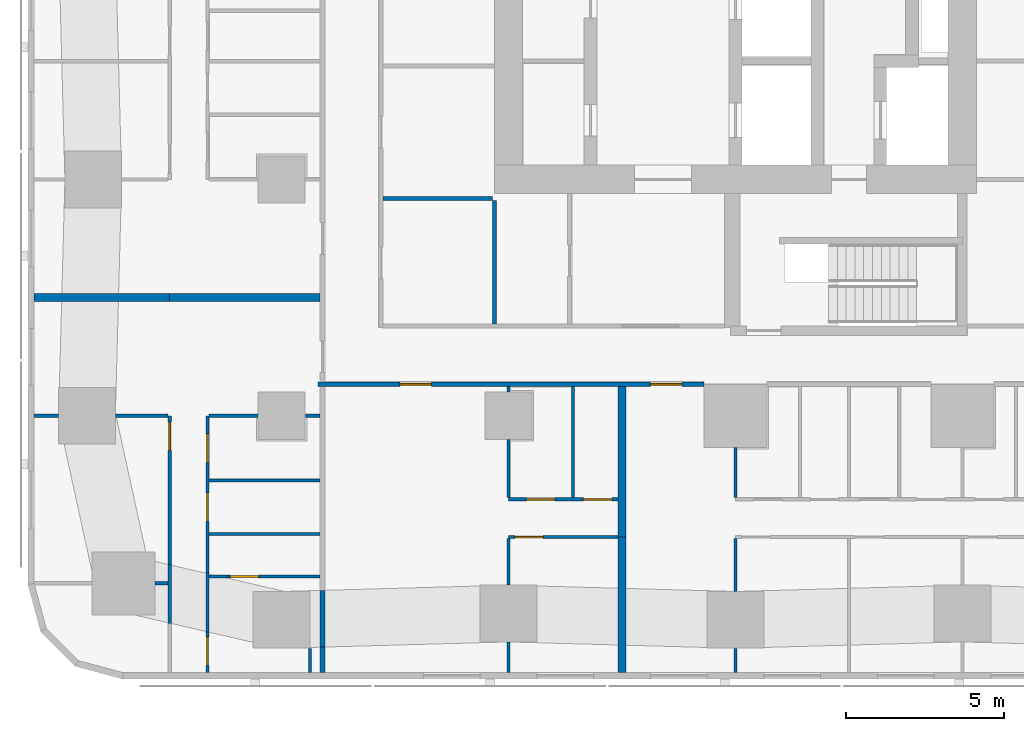
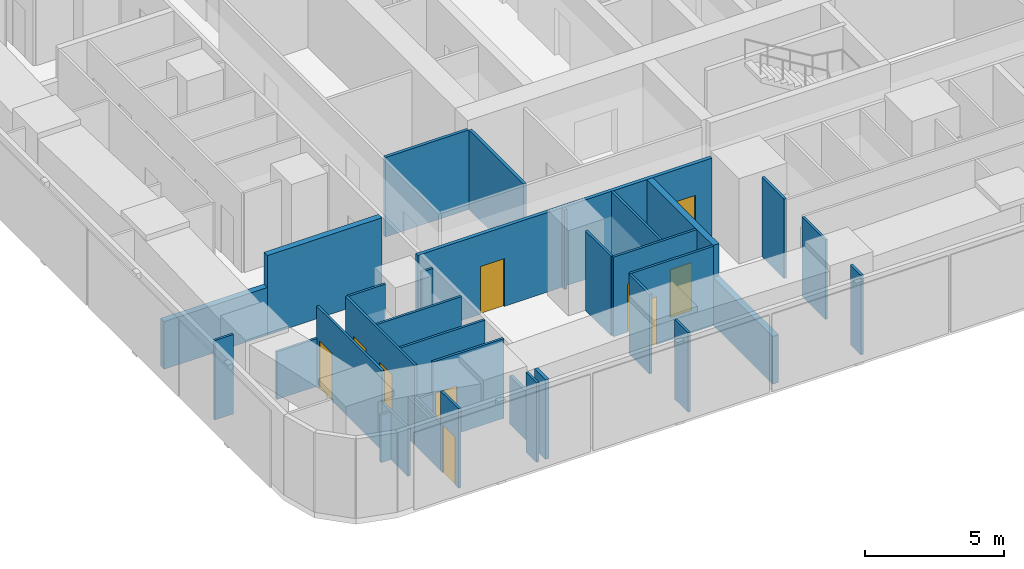
# One storey, part 2 of 14: 34 walls, 10 doors, 10 openings.
"""IFC4 building model written with IfcOpenShell, lengths in metres."""

from ifc_helpers import new_model, si_unit, direction, frame, frame_2d, origin, place, context, subcontext, project, spatial, rectangle, extrude, material, layer, layer_set, type_object, element, fill, save


model = new_model("IFC4")

# Units and contexts
model_context = context("Model", 3, precision=1e-05, world=origin(), true_north=direction((0.0, 1.0)))
body_context = subcontext(model_context, "Body", "Model", "MODEL_VIEW")
ifc_project = project(units=[si_unit("LENGTHUNIT", "METRE"), si_unit("AREAUNIT", "SQUARE_METRE"), si_unit("VOLUMEUNIT", "CUBIC_METRE"), si_unit("PLANEANGLEUNIT", "RADIAN"), si_unit("MASSUNIT", "GRAM", prefix="KILO")], contexts=[model_context])

# Site, building, storey
site_placement = place(None, origin())
site = spatial("IfcSite", under=ifc_project, at=site_placement, CompositionType="ELEMENT")
building_placement = place(site_placement, origin())
building = spatial("IfcBuilding", under=site, at=building_placement, Name="Sheger Commons Tower", CompositionType="ELEMENT")
storey_placement = place(building_placement, frame((0.0, 0.0, 135.800048828125)))
storey = spatial("IfcBuildingStorey", under=building, at=storey_placement, Name="L34", CompositionType="ELEMENT", Elevation=135.800048828125)

# Walls
ifc_material_1 = material(Name="Hollow concrete block masonry, skimmed both sides", Category="masonry")
ifc_layer_1 = layer(ifc_material_1, 0.14990234375)
ifc_layer_set_1 = layer_set([ifc_layer_1], Name="CORRIDOR WALL 150")
wall_type_1 = type_object("IfcWallType", Name="CORRIDOR WALL 150", PredefinedType="SOLIDWALL", material=ifc_layer_set_1)
wall_1_placement = place(storey_placement, frame((8.5, -0.64990234375, 0.0), z_axis=(0.0, 0.0, 1.0), x_axis=(0.0, 1.0, 0.0)))
element("IfcWall", 1, at=wall_1_placement, inside=storey, type_object=wall_type_1, Name="Corridor wall L34", PredefinedType="SOLIDWALL", context=body_context, shape_type="SweptSolid", body=[
    extrude(rectangle(XDim=0.808837890625, YDim=0.14990234375, at=frame_2d((0.404296875, 0.0))), origin(), (0.0, 0.0, 1.0), 3.5),
])
wall_2_placement = place(storey_placement, frame((8.5, 0.158935546875, 0.0), z_axis=(0.0, 0.0, 1.0), x_axis=(0.0, 1.0, 0.0)))
element("IfcWall", 2, at=wall_2_placement, inside=storey, type_object=wall_type_1, Name="Corridor wall L34", PredefinedType="SOLIDWALL", context=body_context, shape_type="SweptSolid", body=[
    extrude(rectangle(XDim=1.80517578125, YDim=0.14990234375, at=frame_2d((0.902587890625, 0.0))), origin(), (0.0, 0.0, 1.0), 2.099853515625),
])

# Wall, openings, doors
wall_3_placement = place(storey_placement, frame((20.59912109375, 8.5, 0.0), z_axis=(0.0, 0.0, 1.0), x_axis=(-1.0, 0.0, 0.0)))
wall_3 = element("IfcWall", 3, at=wall_3_placement, inside=storey, type_object=wall_type_1, Name="Corridor wall L34", PredefinedType="SOLIDWALL", context=body_context, shape_type="SweptSolid", body=[
    extrude(rectangle(XDim=12.2490234375, YDim=0.14990234375, at=frame_2d((6.12451171875, 0.0))), origin(), (0.0, 0.0, 1.0), 3.5),
])
opening_1_placement = place(wall_3_placement, frame((8.64892578125, 0.0, 0.0)))
opening_1 = element("IfcOpeningElement", 4, at=opening_1_placement, cuts=wall_3, Name="Opening D1", PredefinedType="OPENING", context=body_context, shape_type="SweptSolid", body=[
    extrude(rectangle(XDim=1.0, YDim=2.10009765625, at=frame_2d((0.5, 1.050048828125))), frame((0.0, 0.0849609375, 0.0), z_axis=(0.0, -1.0, 0.0), x_axis=(1.0, 0.0, 0.0)), (0.0, 0.0, 1.0), 0.169921875),
])
opening_2_placement = place(wall_3_placement, frame((0.698974609375, 0.0, 0.0)))
opening_2 = element("IfcOpeningElement", 5, at=opening_2_placement, cuts=wall_3, Name="Opening D1", PredefinedType="OPENING", context=body_context, shape_type="SweptSolid", body=[
    extrude(rectangle(XDim=1.0, YDim=2.10009765625, at=frame_2d((0.5, 1.050048828125))), frame((0.0, 0.0849609375, 0.0), z_axis=(0.0, -1.0, 0.0), x_axis=(1.0, 0.0, 0.0)), (0.0, 0.0, 1.0), 0.169921875),
])
ifc_material_2 = material(Name="Steel door set, fire rated", Category="steel")
door_type_1 = type_object("IfcDoorType", Name="FLAT ENTRANCE DOOR 1000x2100", OperationType="NOTDEFINED", PredefinedType="DOOR", material=ifc_material_2)
door_1_placement = place(opening_1_placement, origin())
door_1 = element("IfcDoor", 6, at=door_1_placement, inside=storey, type_object=door_type_1, Name="Flat entrance door", OperationType="SINGLE_SWING_RIGHT", OverallHeight=2.10009765625, OverallWidth=1.0, PredefinedType="DOOR", context=body_context, shape_type="SweptSolid", body=[
    extrude(rectangle(XDim=1.0, YDim=2.10009765625, at=frame_2d((0.5, 1.050048828125))), frame((0.0, 0.02490234375, 0.0), z_axis=(0.0, -1.0, 0.0), x_axis=(1.0, 0.0, 0.0)), (0.0, 0.0, 1.0), 0.050048828125),
])
fill(opening_1, door_1)
door_2_placement = place(opening_2_placement, origin())
door_2 = element("IfcDoor", 7, at=door_2_placement, inside=storey, type_object=door_type_1, Name="Flat entrance door", OperationType="SINGLE_SWING_LEFT", OverallHeight=2.10009765625, OverallWidth=1.0, PredefinedType="DOOR", context=body_context, shape_type="SweptSolid", body=[
    extrude(rectangle(XDim=1.0, YDim=2.10009765625, at=frame_2d((0.5, 1.050048828125))), frame((0.0, 0.02490234375, 0.0), z_axis=(0.0, -1.0, 0.0), x_axis=(1.0, 0.0, 0.0)), (0.0, 0.0, 1.0), 0.050048828125),
])
fill(opening_2, door_2)

# Walls
ifc_material_3 = material(Name="Dense concrete block masonry, plastered both sides (separating wall between flats)", Category="masonry")
ifc_layer_2 = layer(ifc_material_3, 0.25)
ifc_layer_set_2 = layer_set([ifc_layer_2], Name="DEMISING WALL 250")
wall_type_2 = type_object("IfcWallType", Name="DEMISING WALL 250", PredefinedType="SOLIDWALL", material=ifc_layer_set_2)
wall_4_placement = place(storey_placement, frame((-0.64990234375, 11.25, 0.0), z_axis=(0.0, 0.0, 1.0), x_axis=(1.0, 0.0, 0.0)))
element("IfcWall", 8, at=wall_4_placement, inside=storey, type_object=wall_type_2, Name="Demising wall L34", PredefinedType="SOLIDWALL", context=body_context, shape_type="SweptSolid", body=[
    extrude(rectangle(XDim=4.2998046875, YDim=0.25, at=frame_2d((2.14990234375, 0.0))), origin(), (0.0, 0.0, 1.0), 2.099853515625),
])
wall_5_placement = place(storey_placement, frame((3.64990234375, 11.25, 0.0), z_axis=(0.0, 0.0, 1.0), x_axis=(1.0, 0.0, 0.0)))
element("IfcWall", 9, at=wall_5_placement, inside=storey, type_object=wall_type_2, Name="Demising wall L34", PredefinedType="SOLIDWALL", context=body_context, shape_type="SweptSolid", body=[
    extrude(rectangle(XDim=4.775146484375, YDim=0.25, at=frame_2d((2.3876953125, 0.0))), origin(), (0.0, 0.0, 1.0), 3.5),
])
wall_6_placement = place(storey_placement, frame((18.0, -0.64990234375, 0.0), z_axis=(0.0, 0.0, 1.0), x_axis=(0.0, 1.0, 0.0)))
element("IfcWall", 10, at=wall_6_placement, inside=storey, type_object=wall_type_2, Name="Demising wall L34", PredefinedType="SOLIDWALL", context=body_context, shape_type="SweptSolid", body=[
    extrude(rectangle(XDim=4.2998046875, YDim=0.25, at=frame_2d((2.14990234375, 0.0))), origin(), (0.0, 0.0, 1.0), 2.099853515625),
])
wall_7_placement = place(storey_placement, frame((18.0, 3.64990234375, 0.0), z_axis=(0.0, 0.0, 1.0), x_axis=(0.0, 1.0, 0.0)))
element("IfcWall", 11, at=wall_7_placement, inside=storey, type_object=wall_type_2, Name="Demising wall L34", PredefinedType="SOLIDWALL", context=body_context, shape_type="SweptSolid", body=[
    extrude(rectangle(XDim=4.775146484375, YDim=0.25, at=frame_2d((2.3876953125, 0.0))), origin(), (0.0, 0.0, 1.0), 3.5),
])
ifc_material_4 = material(Name="Gypsum board on steel studs", Category="steel")
ifc_layer_3 = layer(ifc_material_4, 0.10009765625)
ifc_layer_set_3 = layer_set([ifc_layer_3], Name="PARTITION 100")
wall_type_3 = type_object("IfcWallType", Name="PARTITION 100", PredefinedType="PARTITIONING", material=ifc_layer_set_3)
wall_8_placement = place(storey_placement, frame((8.10009765625, 0.1240234375, 0.0), z_axis=(0.0, 0.0, 1.0), x_axis=(0.0, -1.0, 0.0)))
element("IfcWall", 12, at=wall_8_placement, inside=storey, type_object=wall_type_3, Name="Partition L34", PredefinedType="PARTITIONING", context=body_context, shape_type="SweptSolid", body=[
    extrude(rectangle(XDim=0.77392578125, YDim=0.10009765625, at=frame_2d((0.386962890625, 0.0))), origin(), (0.0, 0.0, 1.0), 3.5),
])
wall_9_placement = place(storey_placement, frame((3.64990234375, 0.912109375, 0.0), z_axis=(0.0, 0.0, 1.0), x_axis=(0.0, 1.0, 0.0)))
element("IfcWall", 13, at=wall_9_placement, inside=storey, type_object=wall_type_3, Name="Partition L34", PredefinedType="PARTITIONING", context=body_context, shape_type="SweptSolid", body=[
    extrude(rectangle(XDim=1.869873046875, YDim=0.10009765625, at=frame_2d((0.93505859375, 0.0))), origin(), (0.0, 0.0, 1.0), 2.099853515625),
])

# Wall, opening, door
wall_10_placement = place(storey_placement, frame((3.64990234375, 2.781982421875, 0.0), z_axis=(0.0, 0.0, 1.0), x_axis=(0.0, 1.0, 0.0)))
wall_10 = element("IfcWall", 14, at=wall_10_placement, inside=storey, type_object=wall_type_3, Name="Partition L34", PredefinedType="PARTITIONING", context=body_context, shape_type="SweptSolid", body=[
    extrude(rectangle(XDim=4.718017578125, YDim=0.10009765625, at=frame_2d((2.35888671875, 0.0))), origin(), (0.0, 0.0, 1.0), 3.5),
])
opening_3_placement = place(wall_10_placement, frame((3.617919921875, 0.0, 0.0)))
opening_3 = element("IfcOpeningElement", 15, at=opening_3_placement, cuts=wall_10, Name="Opening D2", PredefinedType="OPENING", context=body_context, shape_type="SweptSolid", body=[
    extrude(rectangle(XDim=0.89990234375, YDim=2.10009765625, at=frame_2d((0.449951171875, 1.050048828125))), frame((0.0, 0.06005859375, 0.0), z_axis=(0.0, -1.0, 0.0), x_axis=(1.0, 0.0, 0.0)), (0.0, 0.0, 1.0), 0.1201171875),
])
ifc_material_5 = material(Name="Timber door set", Category="wood")
door_type_2 = type_object("IfcDoorType", Name="INTERNAL DOOR 900x2100", OperationType="NOTDEFINED", PredefinedType="DOOR", material=ifc_material_5)
door_3_placement = place(opening_3_placement, origin())
door_3 = element("IfcDoor", 16, at=door_3_placement, inside=storey, type_object=door_type_2, Name="Main bedroom door", OperationType="SINGLE_SWING_RIGHT", OverallHeight=2.10009765625, OverallWidth=0.89990234375, PredefinedType="DOOR", context=body_context, shape_type="SweptSolid", body=[
    extrude(rectangle(XDim=0.89990234375, YDim=2.10009765625, at=frame_2d((0.449951171875, 1.050048828125))), frame((0.0, 0.02490234375, 0.0), z_axis=(0.0, -1.0, 0.0), x_axis=(1.0, 0.0, 0.0)), (0.0, 0.0, 1.0), 0.050048828125),
])
fill(opening_3, door_3)

wall_11_placement = place(storey_placement, frame((4.85009765625, -0.64990234375, 0.0), z_axis=(0.0, 0.0, 1.0), x_axis=(0.0, 1.0, 0.0)))
wall_11 = element("IfcWall", 17, at=wall_11_placement, inside=storey, type_object=wall_type_3, Name="Partition L34", PredefinedType="PARTITIONING", context=body_context, shape_type="SweptSolid", body=[
    extrude(rectangle(XDim=1.283935546875, YDim=0.10009765625, at=frame_2d((0.64208984375, 0.0))), origin(), (0.0, 0.0, 1.0), 3.5),
])
opening_4_placement = place(wall_11_placement, frame((0.23388671875, 0.0, 0.0)))
opening_4 = element("IfcOpeningElement", 18, at=opening_4_placement, cuts=wall_11, Name="Opening D2", PredefinedType="OPENING", context=body_context, shape_type="SweptSolid", body=[
    extrude(rectangle(XDim=0.89990234375, YDim=2.10009765625, at=frame_2d((0.449951171875, 1.050048828125))), frame((0.0, 0.06005859375, 0.0), z_axis=(0.0, -1.0, 0.0), x_axis=(1.0, 0.0, 0.0)), (0.0, 0.0, 1.0), 0.1201171875),
])
door_4_placement = place(opening_4_placement, origin())
door_4 = element("IfcDoor", 19, at=door_4_placement, inside=storey, type_object=door_type_2, Name="Store and laundry door", OperationType="SINGLE_SWING_LEFT", OverallHeight=2.10009765625, OverallWidth=0.89990234375, PredefinedType="DOOR", context=body_context, shape_type="SweptSolid", body=[
    extrude(rectangle(XDim=0.89990234375, YDim=2.10009765625, at=frame_2d((0.449951171875, 1.050048828125))), frame((0.0, 0.02490234375, 0.0), z_axis=(0.0, -1.0, 0.0), x_axis=(1.0, 0.0, 0.0)), (0.0, 0.0, 1.0), 0.050048828125),
])
fill(opening_4, door_4)

# Wall
wall_12_placement = place(storey_placement, frame((4.85009765625, 0.634033203125, 0.0), z_axis=(0.0, 0.0, 1.0), x_axis=(0.0, 1.0, 0.0)))
element("IfcWall", 20, at=wall_12_placement, inside=storey, type_object=wall_type_3, Name="Partition L34", PredefinedType="PARTITIONING", context=body_context, shape_type="SweptSolid", body=[
    extrude(rectangle(XDim=1.870849609375, YDim=0.10009765625, at=frame_2d((0.935546875, 0.0))), origin(), (0.0, 0.0, 1.0), 2.099853515625),
])

# Wall, openings, doors
wall_13_placement = place(storey_placement, frame((4.85009765625, 2.5048828125, 0.0), z_axis=(0.0, 0.0, 1.0), x_axis=(0.0, 1.0, 0.0)))
wall_13 = element("IfcWall", 21, at=wall_13_placement, inside=storey, type_object=wall_type_3, Name="Partition L34", PredefinedType="PARTITIONING", context=body_context, shape_type="SweptSolid", body=[
    extrude(rectangle(XDim=4.9951171875, YDim=0.10009765625, at=frame_2d((2.49755859375, 0.0))), origin(), (0.0, 0.0, 1.0), 3.5),
])
opening_5_placement = place(wall_13_placement, frame((3.52001953125, 0.0, 0.0)))
opening_5 = element("IfcOpeningElement", 22, at=opening_5_placement, cuts=wall_13, Name="Opening D2", PredefinedType="OPENING", context=body_context, shape_type="SweptSolid", body=[
    extrude(rectangle(XDim=0.89990234375, YDim=2.10009765625, at=frame_2d((0.449951171875, 1.050048828125))), frame((0.0, 0.06005859375, 0.0), z_axis=(0.0, -1.0, 0.0), x_axis=(1.0, 0.0, 0.0)), (0.0, 0.0, 1.0), 0.1201171875),
])
opening_6_placement = place(wall_13_placement, frame((1.64501953125, 0.0, 0.0)))
opening_6 = element("IfcOpeningElement", 23, at=opening_6_placement, cuts=wall_13, Name="Opening D2", PredefinedType="OPENING", context=body_context, shape_type="SweptSolid", body=[
    extrude(rectangle(XDim=0.89990234375, YDim=2.10009765625, at=frame_2d((0.449951171875, 1.050048828125))), frame((0.0, 0.06005859375, 0.0), z_axis=(0.0, -1.0, 0.0), x_axis=(1.0, 0.0, 0.0)), (0.0, 0.0, 1.0), 0.1201171875),
])
door_5_placement = place(opening_5_placement, origin())
door_5 = element("IfcDoor", 24, at=door_5_placement, inside=storey, type_object=door_type_2, Name="Bathroom door", OperationType="SINGLE_SWING_LEFT", OverallHeight=2.10009765625, OverallWidth=0.89990234375, PredefinedType="DOOR", context=body_context, shape_type="SweptSolid", body=[
    extrude(rectangle(XDim=0.89990234375, YDim=2.10009765625, at=frame_2d((0.449951171875, 1.050048828125))), frame((0.0, 0.02490234375, 0.0), z_axis=(0.0, -1.0, 0.0), x_axis=(1.0, 0.0, 0.0)), (0.0, 0.0, 1.0), 0.050048828125),
])
fill(opening_5, door_5)
door_6_placement = place(opening_6_placement, origin())
door_6 = element("IfcDoor", 25, at=door_6_placement, inside=storey, type_object=door_type_2, Name="Store door", OperationType="SINGLE_SWING_LEFT", OverallHeight=2.10009765625, OverallWidth=0.89990234375, PredefinedType="DOOR", context=body_context, shape_type="SweptSolid", body=[
    extrude(rectangle(XDim=0.89990234375, YDim=2.10009765625, at=frame_2d((0.449951171875, 1.050048828125))), frame((0.0, 0.02490234375, 0.0), z_axis=(0.0, -1.0, 0.0), x_axis=(1.0, 0.0, 0.0)), (0.0, 0.0, 1.0), 0.050048828125),
])
fill(opening_6, door_6)

# Walls
wall_14_placement = place(storey_placement, frame((3.18701171875, 2.18603515625, 0.0), z_axis=(0.0, 0.0, 1.0), x_axis=(1.0, 0.0, 0.0)))
element("IfcWall", 26, at=wall_14_placement, inside=storey, type_object=wall_type_3, Name="Partition L34", PredefinedType="PARTITIONING", context=body_context, shape_type="SweptSolid", body=[
    extrude(rectangle(XDim=0.4130859375, YDim=0.10009765625, at=frame_2d((0.20654296875, 0.0))), origin(), (0.0, 0.0, 1.0), 2.099853515625),
])
wall_15_placement = place(storey_placement, frame((-0.64990234375, 7.5, 0.0), z_axis=(0.0, 0.0, 1.0), x_axis=(1.0, 0.0, 0.0)))
element("IfcWall", 27, at=wall_15_placement, inside=storey, type_object=wall_type_3, Name="Partition L34", PredefinedType="PARTITIONING", context=body_context, shape_type="SweptSolid", body=[
    extrude(rectangle(XDim=0.77392578125, YDim=0.10009765625, at=frame_2d((0.386962890625, 0.0))), origin(), (0.0, 0.0, 1.0), 3.5),
])
wall_16_placement = place(storey_placement, frame((1.926025390625, 7.5, 0.0), z_axis=(0.0, 0.0, 1.0), x_axis=(1.0, 0.0, 0.0)))
element("IfcWall", 28, at=wall_16_placement, inside=storey, type_object=wall_type_3, Name="Partition L34", PredefinedType="PARTITIONING", context=body_context, shape_type="SweptSolid", body=[
    extrude(rectangle(XDim=1.674072265625, YDim=0.10009765625, at=frame_2d((0.8369140625, 0.0))), origin(), (0.0, 0.0, 1.0), 2.099853515625),
])
wall_17_placement = place(storey_placement, frame((4.89990234375, 3.75, 0.0), z_axis=(0.0, 0.0, 1.0), x_axis=(1.0, 0.0, 0.0)))
element("IfcWall", 29, at=wall_17_placement, inside=storey, type_object=wall_type_3, Name="Partition L34", PredefinedType="PARTITIONING", context=body_context, shape_type="SweptSolid", body=[
    extrude(rectangle(XDim=3.525146484375, YDim=0.10009765625, at=frame_2d((1.7626953125, 0.0))), origin(), (0.0, 0.0, 1.0), 3.5),
])
wall_18_placement = place(storey_placement, frame((4.89990234375, 7.5, 0.0), z_axis=(0.0, 0.0, 1.0), x_axis=(1.0, 0.0, 0.0)))
element("IfcWall", 30, at=wall_18_placement, inside=storey, type_object=wall_type_3, Name="Partition L34", PredefinedType="PARTITIONING", context=body_context, shape_type="SweptSolid", body=[
    extrude(rectangle(XDim=1.549072265625, YDim=0.10009765625, at=frame_2d((0.7744140625, 0.0))), origin(), (0.0, 0.0, 1.0), 3.5),
])
wall_19_placement = place(storey_placement, frame((7.950927734375, 7.5, 0.0), z_axis=(0.0, 0.0, 1.0), x_axis=(1.0, 0.0, 0.0)))
element("IfcWall", 31, at=wall_19_placement, inside=storey, type_object=wall_type_3, Name="Partition L34", PredefinedType="PARTITIONING", context=body_context, shape_type="SweptSolid", body=[
    extrude(rectangle(XDim=0.47412109375, YDim=0.10009765625, at=frame_2d((0.237060546875, 0.0))), origin(), (0.0, 0.0, 1.0), 3.5),
])
wall_20_placement = place(storey_placement, frame((4.89990234375, 5.449951171875, 0.0), z_axis=(0.0, 0.0, 1.0), x_axis=(1.0, 0.0, 0.0)))
element("IfcWall", 32, at=wall_20_placement, inside=storey, type_object=wall_type_3, Name="Partition L34", PredefinedType="PARTITIONING", context=body_context, shape_type="SweptSolid", body=[
    extrude(rectangle(XDim=3.525146484375, YDim=0.10009765625, at=frame_2d((1.7626953125, 0.0))), origin(), (0.0, 0.0, 1.0), 3.5),
])

# Wall, opening, door
wall_21_placement = place(storey_placement, frame((17.875, 3.64990234375, 0.0), z_axis=(0.0, 0.0, 1.0), x_axis=(-1.0, 0.0, 0.0)))
wall_21 = element("IfcWall", 33, at=wall_21_placement, inside=storey, type_object=wall_type_3, Name="Partition L34", PredefinedType="PARTITIONING", context=body_context, shape_type="SweptSolid", body=[
    extrude(rectangle(XDim=3.47509765625, YDim=0.10009765625, at=frame_2d((1.737548828125, 0.0))), origin(), (0.0, 0.0, 1.0), 3.5),
])
opening_7_placement = place(wall_21_placement, frame((2.375, 0.0, 0.0)))
opening_7 = element("IfcOpeningElement", 34, at=opening_7_placement, cuts=wall_21, Name="Opening D2", PredefinedType="OPENING", context=body_context, shape_type="SweptSolid", body=[
    extrude(rectangle(XDim=0.89990234375, YDim=2.10009765625, at=frame_2d((0.449951171875, 1.050048828125))), frame((0.0, 0.06005859375, 0.0), z_axis=(0.0, -1.0, 0.0), x_axis=(1.0, 0.0, 0.0)), (0.0, 0.0, 1.0), 0.1201171875),
])
door_7_placement = place(opening_7_placement, origin())
door_7 = element("IfcDoor", 35, at=door_7_placement, inside=storey, type_object=door_type_2, Name="Main bedroom door", OperationType="SINGLE_SWING_RIGHT", OverallHeight=2.10009765625, OverallWidth=0.89990234375, PredefinedType="DOOR", context=body_context, shape_type="SweptSolid", body=[
    extrude(rectangle(XDim=0.89990234375, YDim=2.10009765625, at=frame_2d((0.449951171875, 1.050048828125))), frame((0.0, 0.02490234375, 0.0), z_axis=(0.0, -1.0, 0.0), x_axis=(1.0, 0.0, 0.0)), (0.0, 0.0, 1.0), 0.050048828125),
])
fill(opening_7, door_7)

# Wall, openings, doors
wall_22_placement = place(storey_placement, frame((17.875, 4.85009765625, 0.0), z_axis=(0.0, 0.0, 1.0), x_axis=(-1.0, 0.0, 0.0)))
wall_22 = element("IfcWall", 36, at=wall_22_placement, inside=storey, type_object=wall_type_3, Name="Partition L34", PredefinedType="PARTITIONING", context=body_context, shape_type="SweptSolid", body=[
    extrude(rectangle(XDim=3.47509765625, YDim=0.10009765625, at=frame_2d((1.737548828125, 0.0))), origin(), (0.0, 0.0, 1.0), 3.5),
])
opening_8_placement = place(wall_22_placement, frame((2.0, 0.0, 0.0)))
opening_8 = element("IfcOpeningElement", 37, at=opening_8_placement, cuts=wall_22, Name="Opening D2", PredefinedType="OPENING", context=body_context, shape_type="SweptSolid", body=[
    extrude(rectangle(XDim=0.89990234375, YDim=2.10009765625, at=frame_2d((0.449951171875, 1.050048828125))), frame((0.0, 0.06005859375, 0.0), z_axis=(0.0, -1.0, 0.0), x_axis=(1.0, 0.0, 0.0)), (0.0, 0.0, 1.0), 0.1201171875),
])
opening_9_placement = place(wall_22_placement, frame((0.199951171875, 0.0, 0.0)))
opening_9 = element("IfcOpeningElement", 38, at=opening_9_placement, cuts=wall_22, Name="Opening D2", PredefinedType="OPENING", context=body_context, shape_type="SweptSolid", body=[
    extrude(rectangle(XDim=0.89990234375, YDim=2.10009765625, at=frame_2d((0.449951171875, 1.050048828125))), frame((0.0, 0.06005859375, 0.0), z_axis=(0.0, -1.0, 0.0), x_axis=(1.0, 0.0, 0.0)), (0.0, 0.0, 1.0), 0.1201171875),
])
door_8_placement = place(opening_8_placement, origin())
door_8 = element("IfcDoor", 39, at=door_8_placement, inside=storey, type_object=door_type_2, Name="Bathroom door", OperationType="SINGLE_SWING_LEFT", OverallHeight=2.10009765625, OverallWidth=0.89990234375, PredefinedType="DOOR", context=body_context, shape_type="SweptSolid", body=[
    extrude(rectangle(XDim=0.89990234375, YDim=2.10009765625, at=frame_2d((0.449951171875, 1.050048828125))), frame((0.0, 0.02490234375, 0.0), z_axis=(0.0, -1.0, 0.0), x_axis=(1.0, 0.0, 0.0)), (0.0, 0.0, 1.0), 0.050048828125),
])
fill(opening_8, door_8)
door_9_placement = place(opening_9_placement, origin())
door_9 = element("IfcDoor", 40, at=door_9_placement, inside=storey, type_object=door_type_2, Name="Store door", OperationType="SINGLE_SWING_RIGHT", OverallHeight=2.10009765625, OverallWidth=0.89990234375, PredefinedType="DOOR", context=body_context, shape_type="SweptSolid", body=[
    extrude(rectangle(XDim=0.89990234375, YDim=2.10009765625, at=frame_2d((0.449951171875, 1.050048828125))), frame((0.0, 0.02490234375, 0.0), z_axis=(0.0, -1.0, 0.0), x_axis=(1.0, 0.0, 0.0)), (0.0, 0.0, 1.0), 0.050048828125),
])
fill(opening_9, door_9)

# Walls
wall_23_placement = place(storey_placement, frame((14.39990234375, -0.64990234375, 0.0), z_axis=(0.0, 0.0, 1.0), x_axis=(0.0, 1.0, 0.0)))
element("IfcWall", 41, at=wall_23_placement, inside=storey, type_object=wall_type_3, Name="Partition L34", PredefinedType="PARTITIONING", context=body_context, shape_type="SweptSolid", body=[
    extrude(rectangle(XDim=0.973876953125, YDim=0.10009765625, at=frame_2d((0.48681640625, 0.0))), origin(), (0.0, 0.0, 1.0), 3.5),
])
wall_24_placement = place(storey_placement, frame((14.39990234375, 2.1259765625, 0.0), z_axis=(0.0, 0.0, 1.0), x_axis=(0.0, 1.0, 0.0)))
element("IfcWall", 42, at=wall_24_placement, inside=storey, type_object=wall_type_3, Name="Partition L34", PredefinedType="PARTITIONING", context=body_context, shape_type="SweptSolid", body=[
    extrude(rectangle(XDim=1.47412109375, YDim=0.10009765625, at=frame_2d((0.737060546875, 0.0))), origin(), (0.0, 0.0, 1.0), 3.5),
])
wall_25_placement = place(storey_placement, frame((14.39990234375, 4.89990234375, 0.0), z_axis=(0.0, 0.0, 1.0), x_axis=(0.0, 1.0, 0.0)))
element("IfcWall", 43, at=wall_25_placement, inside=storey, type_object=wall_type_3, Name="Partition L34", PredefinedType="PARTITIONING", context=body_context, shape_type="SweptSolid", body=[
    extrude(rectangle(XDim=1.84912109375, YDim=0.10009765625, at=frame_2d((0.924560546875, 0.0))), origin(), (0.0, 0.0, 1.0), 3.5),
])
wall_26_placement = place(storey_placement, frame((14.39990234375, 8.2509765625, 0.0), z_axis=(0.0, 0.0, 1.0), x_axis=(0.0, 1.0, 0.0)))
element("IfcWall", 44, at=wall_26_placement, inside=storey, type_object=wall_type_3, Name="Partition L34", PredefinedType="PARTITIONING", context=body_context, shape_type="SweptSolid", body=[
    extrude(rectangle(XDim=0.174072265625, YDim=0.10009765625, at=frame_2d((0.0869140625, 0.0))), origin(), (0.0, 0.0, 1.0), 3.5),
])
wall_27_placement = place(storey_placement, frame((16.449951171875, 4.89990234375, 0.0), z_axis=(0.0, 0.0, 1.0), x_axis=(0.0, 1.0, 0.0)))
element("IfcWall", 45, at=wall_27_placement, inside=storey, type_object=wall_type_3, Name="Partition L34", PredefinedType="PARTITIONING", context=body_context, shape_type="SweptSolid", body=[
    extrude(rectangle(XDim=3.525146484375, YDim=0.10009765625, at=frame_2d((1.7626953125, 0.0))), origin(), (0.0, 0.0, 1.0), 3.5),
])
wall_28_placement = place(storey_placement, frame((21.60009765625, -0.64990234375, 0.0), z_axis=(0.0, 0.0, 1.0), x_axis=(0.0, 1.0, 0.0)))
element("IfcWall", 46, at=wall_28_placement, inside=storey, type_object=wall_type_3, Name="Partition L34", PredefinedType="PARTITIONING", context=body_context, shape_type="SweptSolid", body=[
    extrude(rectangle(XDim=0.77392578125, YDim=0.10009765625, at=frame_2d((0.386962890625, 0.0))), origin(), (0.0, 0.0, 1.0), 3.5),
])
wall_29_placement = place(storey_placement, frame((21.60009765625, 1.926025390625, 0.0), z_axis=(0.0, 0.0, 1.0), x_axis=(0.0, 1.0, 0.0)))
element("IfcWall", 47, at=wall_29_placement, inside=storey, type_object=wall_type_3, Name="Partition L34", PredefinedType="PARTITIONING", context=body_context, shape_type="SweptSolid", body=[
    extrude(rectangle(XDim=1.674072265625, YDim=0.10009765625, at=frame_2d((0.8369140625, 0.0))), origin(), (0.0, 0.0, 1.0), 3.5),
])
wall_30_placement = place(storey_placement, frame((21.60009765625, 4.89990234375, 0.0), z_axis=(0.0, 0.0, 1.0), x_axis=(0.0, 1.0, 0.0)))
element("IfcWall", 48, at=wall_30_placement, inside=storey, type_object=wall_type_3, Name="Partition L34", PredefinedType="PARTITIONING", context=body_context, shape_type="SweptSolid", body=[
    extrude(rectangle(XDim=1.59912109375, YDim=0.10009765625, at=frame_2d((0.799560546875, 0.0))), origin(), (0.0, 0.0, 1.0), 3.5),
])

# Wall, opening, door
wall_31_placement = place(storey_placement, frame((5.467041015625, 2.39990234375, 0.0), z_axis=(0.0, 0.0, 1.0), x_axis=(1.0, 0.0, 0.0)))
wall_31 = element("IfcWall", 49, at=wall_31_placement, inside=storey, type_object=wall_type_3, Name="Partition L34", PredefinedType="PARTITIONING", context=body_context, shape_type="SweptSolid", body=[
    extrude(rectangle(XDim=2.9580078125, YDim=0.10009765625, at=frame_2d((1.47900390625, 0.0))), origin(), (0.0, 0.0, 1.0), 3.5),
])
opening_10_placement = place(wall_31_placement, frame((0.10791015625, 0.0, 0.0)))
opening_10 = element("IfcOpeningElement", 50, at=opening_10_placement, cuts=wall_31, Name="Opening D2", PredefinedType="OPENING", context=body_context, shape_type="SweptSolid", body=[
    extrude(rectangle(XDim=0.89990234375, YDim=2.10009765625, at=frame_2d((0.449951171875, 1.050048828125))), frame((0.0, 0.06005859375, 0.0), z_axis=(0.0, -1.0, 0.0), x_axis=(1.0, 0.0, 0.0)), (0.0, 0.0, 1.0), 0.1201171875),
])
door_10_placement = place(opening_10_placement, origin())
door_10 = element("IfcDoor", 51, at=door_10_placement, inside=storey, type_object=door_type_2, Name="Store door", OperationType="SINGLE_SWING_LEFT", OverallHeight=2.10009765625, OverallWidth=0.89990234375, PredefinedType="DOOR", context=body_context, shape_type="SweptSolid", body=[
    extrude(rectangle(XDim=0.89990234375, YDim=2.10009765625, at=frame_2d((0.449951171875, 1.050048828125))), frame((0.0, 0.02490234375, 0.0), z_axis=(0.0, -1.0, 0.0), x_axis=(1.0, 0.0, 0.0)), (0.0, 0.0, 1.0), 0.050048828125),
])
fill(opening_10, door_10)

# Walls
wall_32_placement = place(storey_placement, frame((5.467041015625, 2.39990234375, 0.0), z_axis=(0.0, 0.0, 1.0), x_axis=(-1.0, 0.0, 0.0)))
element("IfcWall", 52, at=wall_32_placement, inside=storey, type_object=wall_type_3, Name="Partition L34", PredefinedType="PARTITIONING", context=body_context, shape_type="SweptSolid", body=[
    extrude(rectangle(XDim=0.567138671875, YDim=0.10009765625, at=frame_2d((0.28369140625, 0.0))), origin(), (0.0, 0.0, 1.0), 2.099853515625),
])
ifc_material_6 = material(Name="Gypsum board on steel studs, two layers each side, fire rated", Category="steel")
ifc_layer_4 = layer(ifc_material_6, 0.125)
ifc_layer_set_4 = layer_set([ifc_layer_4], Name="SERVICE WALL 125")
wall_type_4 = type_object("IfcWallType", Name="SERVICE WALL 125", PredefinedType="PARTITIONING", material=ifc_layer_set_4)
wall_33_placement = place(storey_placement, frame((10.4130859375, 14.39990234375, 0.0), z_axis=(0.0, 0.0, 1.0), x_axis=(1.0, 0.0, 0.0)))
element("IfcWall", 53, at=wall_33_placement, inside=storey, type_object=wall_type_4, Name="Service room wall L34", PredefinedType="PARTITIONING", context=body_context, shape_type="SweptSolid", body=[
    extrude(rectangle(XDim=3.474853515625, YDim=0.125, at=frame_2d((1.7373046875, 0.0))), origin(), (0.0, 0.0, 1.0), 3.5),
])
wall_34_placement = place(storey_placement, frame((13.949951171875, 10.4130859375, 0.0), z_axis=(0.0, 0.0, 1.0), x_axis=(0.0, 1.0, 0.0)))
element("IfcWall", 54, at=wall_34_placement, inside=storey, type_object=wall_type_4, Name="Service room wall L34", PredefinedType="PARTITIONING", context=body_context, shape_type="SweptSolid", body=[
    extrude(rectangle(XDim=3.9248046875, YDim=0.125, at=frame_2d((1.96240234375, 0.0))), origin(), (0.0, 0.0, 1.0), 3.5),
])

save(model, "model.ifc")
